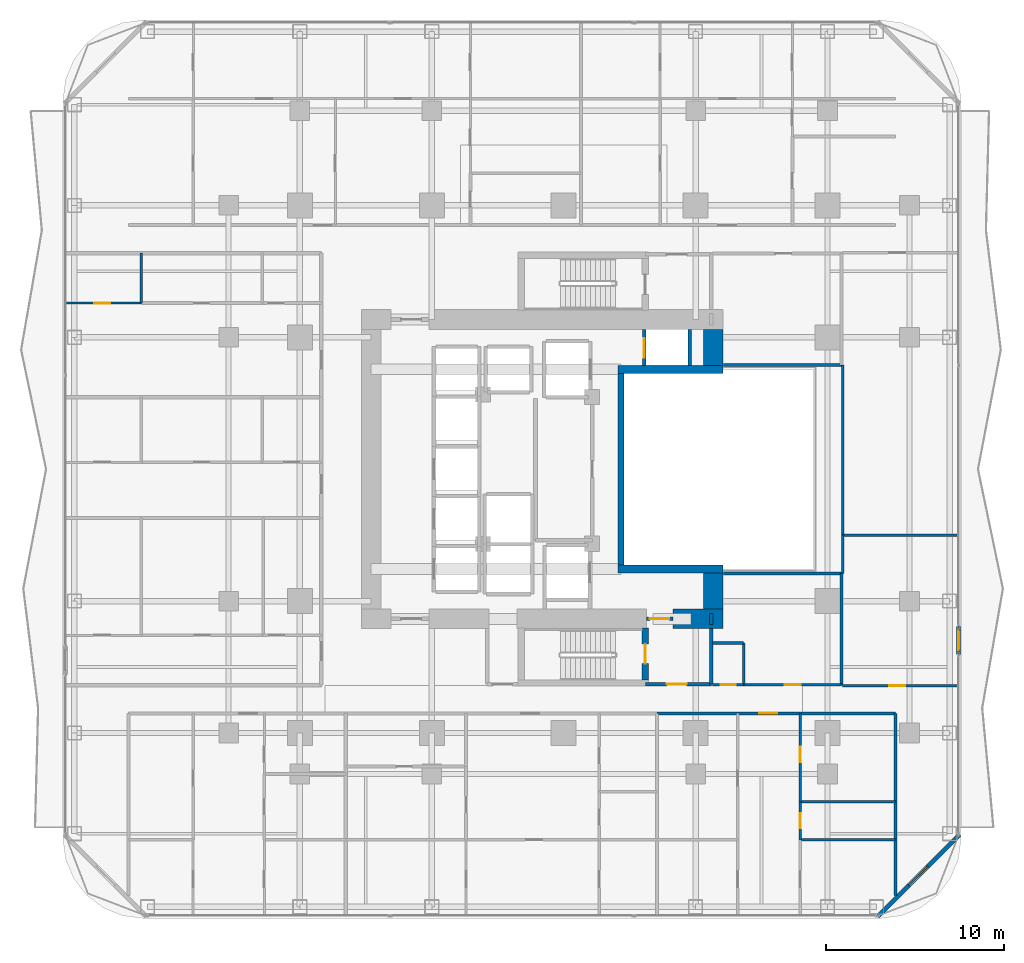
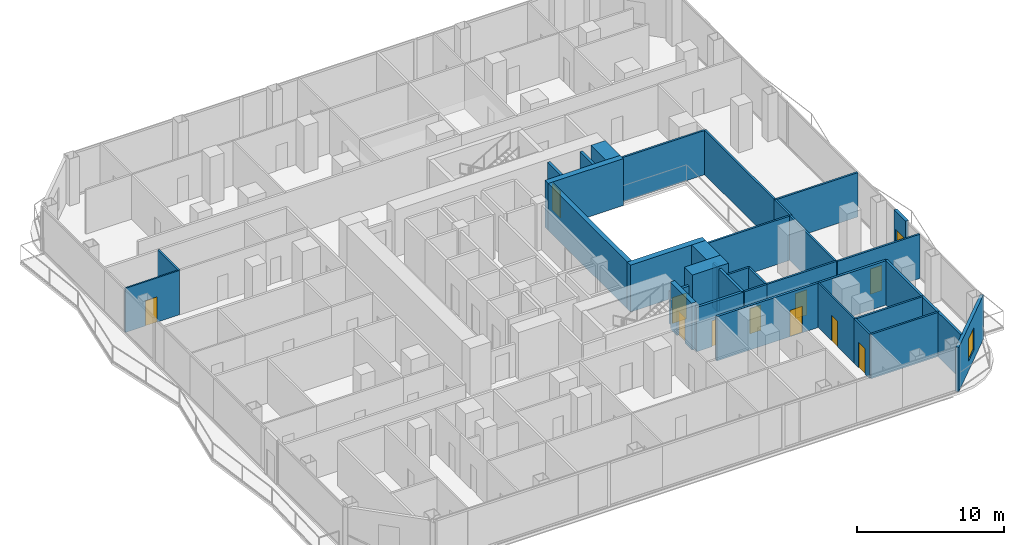
# One storey, part 22 of 29: 34 walls, 12 doors, 1 window, 13 openings.
"""IFC4 building model written with IfcOpenShell, lengths in metres."""

import ifcopenshell
import ifcopenshell.guid

model = None  # the IFC model being written
_history = None  # IfcOwnerHistory: only IFC2X3 demands one
_inside = {}  # id of a spatial element -> (the spatial element, [elements in it])
_under = {}  # id of a project, library or spatial element -> (it, [spatial elements below it])
_declared = {}  # id of a project -> (the project, [libraries it declares])
_typed = {}  # id of a type object -> (the type object, [elements of that type])
_made_of = {}  # id of a material, layer set ... -> (it, [elements and type objects made of it])


def new_model(schema):
    """Start an empty IFC model of exactly this schema.

    Asked for "IFC4X3", IfcOpenShell would pick the latest addendum, in which some entities
    have other attributes; the version numbers below select the first issue.
    IFC2X3 requires an IfcOwnerHistory on every rooted entity: one is made here for all.
    """
    global model, _history
    if schema == "IFC4X3":
        model = ifcopenshell.file(schema_version=(4, 3, 0, 0))
    else:
        model = ifcopenshell.file(schema=schema)
    _inside.clear()
    _under.clear()
    _declared.clear()
    _typed.clear()
    _made_of.clear()
    _history = None
    if model.schema == "IFC2X3":
        org = make("IfcOrganization", Name="unknown")
        user = make(
            "IfcPersonAndOrganization",
            ThePerson=make("IfcPerson", FamilyName="unknown"),
            TheOrganization=org,
        )
        app = make(
            "IfcApplication",
            ApplicationDeveloper=org,
            Version="unknown",
            ApplicationFullName="unknown",
            ApplicationIdentifier="unknown",
        )
        _history = make(
            "IfcOwnerHistory",
            OwningUser=user,
            OwningApplication=app,
            ChangeAction="ADDED",
            CreationDate=0,
        )
    return model


def make(cls, **values):
    """One entity of the class cls with the attributes given. An attribute that is None is left unset."""
    return model.create_entity(
        cls, **{name: value for name, value in values.items() if value is not None}
    )


def rooted(cls, **values):
    """An entity with a GlobalId (a new one), such as an element, a storey or a relation."""
    return make(cls, GlobalId=ifcopenshell.guid.new(), OwnerHistory=_history, **values)


def si_unit(unit_type, name, prefix=None):
    """IfcSIUnit, for example si_unit("LENGTHUNIT", "METRE", prefix="MILLI")."""
    return make("IfcSIUnit", UnitType=unit_type, Prefix=prefix, Name=name)


def assignment(units):
    """IfcUnitAssignment: the units of a project."""
    return None if units is None else make("IfcUnitAssignment", Units=units)


def point(xyz):
    """IfcCartesianPoint."""
    return None if xyz is None else make("IfcCartesianPoint", Coordinates=xyz)


def direction(xyz):
    """IfcDirection."""
    return None if xyz is None else make("IfcDirection", DirectionRatios=xyz)


def frame(location, z_axis=None, x_axis=None):
    """IfcAxis2Placement3D, a coordinate frame: its origin and axes. An axis left out is left unset."""
    return make(
        "IfcAxis2Placement3D",
        Location=point(location),
        Axis=direction(z_axis),
        RefDirection=direction(x_axis),
    )


def frame_2d(location, x_axis=None):
    """IfcAxis2Placement2D, a coordinate frame in the plane: its origin and x axis."""
    return make(
        "IfcAxis2Placement2D", Location=point(location), RefDirection=direction(x_axis)
    )


def origin():
    """The frame at (0, 0, 0) with its axes left unset."""
    return frame((0.0, 0.0, 0.0))


def place(relative_to, where):
    """IfcLocalPlacement: puts the frame where relative to a parent placement (None: the world)."""
    return make(
        "IfcLocalPlacement", PlacementRelTo=relative_to, RelativePlacement=where
    )


def context(
    kind, dimensions, precision=None, world=None, true_north=None, identifier=None
):
    """IfcGeometricRepresentationContext, for example the 3D "Model" context."""
    return make(
        "IfcGeometricRepresentationContext",
        ContextIdentifier=identifier,
        ContextType=kind,
        CoordinateSpaceDimension=dimensions,
        Precision=precision,
        WorldCoordinateSystem=world,
        TrueNorth=true_north,
    )


def subcontext(parent, identifier, kind, view, scale=None):
    """IfcGeometricRepresentationSubContext, for example "Body" below "Model"."""
    return make(
        "IfcGeometricRepresentationSubContext",
        ContextIdentifier=identifier,
        ContextType=kind,
        ParentContext=parent,
        TargetScale=scale,
        TargetView=view,
    )


def project(units=None, contexts=None):
    """IfcProject with its units and contexts."""
    return rooted(
        "IfcProject",
        Name="project",
        RepresentationContexts=contexts,
        UnitsInContext=assignment(units),
    )


def spatial(cls, under=None, at=None, **own):
    """A site, building, storey or space (cls), placed at a placement, below another one or the project."""
    s = rooted(cls, ObjectPlacement=at, **own)
    if under is not None:
        _under.setdefault(under.id(), (under, []))[1].append(s)
    return s


def profile(cls, at=None, kind="AREA", **sizes):
    """A parametric profile (cls). Its sizes go by their IFC names, for example OverallWidth=200.0."""
    return make(cls, ProfileType=kind, Position=at, **sizes)


def rectangle(**sizes):
    """IfcRectangleProfileDef."""
    return profile("IfcRectangleProfileDef", **sizes)


def extrude(swept, where, along, depth):
    """IfcExtrudedAreaSolid: the profile swept, set in the frame where, extruded along a direction by depth."""
    return make(
        "IfcExtrudedAreaSolid",
        SweptArea=swept,
        Position=where,
        ExtrudedDirection=direction(along),
        Depth=depth,
    )


def shape(context_of_items, identifier, shape_type, items):
    """IfcShapeRepresentation: the items that make up one representation, for example the "Body"."""
    return make(
        "IfcShapeRepresentation",
        ContextOfItems=context_of_items,
        RepresentationIdentifier=identifier,
        RepresentationType=shape_type,
        Items=items,
    )


def material(Name=None, Category=None):
    """IfcMaterial."""
    return make("IfcMaterial", Name=Name, Category=Category)


def layer(
    of_material, thickness, ventilated=None, Name=None, Category=None, Priority=None
):
    """IfcMaterialLayer: one layer of a wall or slab, of a material (None: an air gap)."""
    return make(
        "IfcMaterialLayer",
        Material=of_material,
        LayerThickness=thickness,
        IsVentilated=ventilated,
        Name=Name,
        Category=Category,
        Priority=Priority,
    )


def layer_set(layers, Name=None):
    """IfcMaterialLayerSet."""
    return make("IfcMaterialLayerSet", MaterialLayers=layers, LayerSetName=Name)


def made_of(thing, what):
    """Note that an element or type object is made of a material, layer set ...; save() writes the relation."""
    if what is not None:
        _made_of.setdefault(what.id(), (what, []))[1].append(thing)
    return thing


def type_object(cls, material=None, **own):
    """A type object (cls), such as IfcWallType, which elements share."""
    return made_of(rooted(cls, **own), material)


def element(
    cls,
    number,
    at=None,
    inside=None,
    cuts=None,
    type_object=None,
    material=None,
    context=None,
    identifier="Body",
    shape_type=None,
    held_by="IfcProductDefinitionShape",
    body=None,
    shapes=None,
    **own,
):
    """One element of the class cls, such as IfcWall. Its Tag is "e" and its number.

    at: its placement. inside: the storey or other place that contains it. cuts: it is an
    opening in that element (IfcRelVoidsElement). A single representation is given by context,
    identifier, shape_type and body (its items); several are given by shapes. held_by: the class
    of the entity that holds the representations. save() writes the other relations.
    """
    e = rooted(cls, Tag="e%d" % number, ObjectPlacement=at, **own)
    if body is not None:
        shapes = [shape(context, identifier, shape_type, body)]
    if shapes is not None:
        e.Representation = make(held_by, Representations=shapes)
    if inside is not None:
        _inside.setdefault(inside.id(), (inside, []))[1].append(e)
    if cuts is not None:
        rooted(
            "IfcRelVoidsElement", RelatingBuildingElement=cuts, RelatedOpeningElement=e
        )
    if type_object is not None:
        _typed.setdefault(type_object.id(), (type_object, []))[1].append(e)
    return made_of(e, material)


def fill(opening, filler):
    """IfcRelFillsElement: the door or window that sits in an opening."""
    return rooted(
        "IfcRelFillsElement",
        RelatingOpeningElement=opening,
        RelatedBuildingElement=filler,
    )


def aggregate(whole, parts):
    """IfcRelAggregates: a whole, such as a stair, and the parts it consists of."""
    return rooted("IfcRelAggregates", RelatingObject=whole, RelatedObjects=parts)


def save(model, path):
    """Write the relations noted so far, then the file.

    IfcRelAggregates (storeys below a building ...), IfcRelContainedInSpatialStructure (elements
    in a storey), IfcRelDefinesByType, IfcRelAssociatesMaterial and IfcRelDeclares: one each for
    every whole, place, type object, material and project.
    """
    for whole, parts in _under.values():
        aggregate(whole, parts)
    for where, things in _inside.values():
        rooted(
            "IfcRelContainedInSpatialStructure",
            RelatedElements=things,
            RelatingStructure=where,
        )
    for kind, things in _typed.values():
        rooted("IfcRelDefinesByType", RelatedObjects=things, RelatingType=kind)
    for what, things in _made_of.values():
        rooted("IfcRelAssociatesMaterial", RelatedObjects=things, RelatingMaterial=what)
    for by, libraries in _declared.values():
        rooted("IfcRelDeclares", RelatingContext=by, RelatedDefinitions=libraries)
    model.write(path)


model = new_model("IFC4")

# Units and contexts
model_context = context("Model", 3, precision=1e-05, world=origin(), true_north=direction((0.0, 1.0)))
body_context = subcontext(model_context, "Body", "Model", "MODEL_VIEW")
ifc_project = project(units=[si_unit("LENGTHUNIT", "METRE"), si_unit("AREAUNIT", "SQUARE_METRE"), si_unit("VOLUMEUNIT", "CUBIC_METRE"), si_unit("PLANEANGLEUNIT", "RADIAN"), si_unit("MASSUNIT", "GRAM", prefix="KILO")], contexts=[model_context])

# Site, building, storey
site_placement = place(None, origin())
site = spatial("IfcSite", under=ifc_project, at=site_placement, CompositionType="ELEMENT")
building_placement = place(site_placement, origin())
building = spatial("IfcBuilding", under=site, at=building_placement, Name="Khorvyn Point Tower", CompositionType="ELEMENT")
storey_placement = place(building_placement, frame((0.0, 0.0, 61.800048828125)))
storey = spatial("IfcBuildingStorey", under=building, at=storey_placement, Name="L16", CompositionType="ELEMENT", Elevation=61.800048828125)

# Wall, opening, door
ifc_material_1 = material(Name="Double acoustic gypsum on twin steel stud", Category="steel")
ifc_layer_1 = layer(ifc_material_1, 0.179931640625)
ifc_layer_set_1 = layer_set([ifc_layer_1], Name="Acoustic Double-Stud Apartment Demising Wall 180")
wall_type_1 = type_object("IfcWallType", Name="Acoustic Double-Stud Apartment Demising Wall 180", PredefinedType="PARTITIONING", material=ifc_layer_set_1)
wall_1_placement = place(storey_placement, frame((5.241943359375, -13.699951171875, 0.0), z_axis=(0.0, 0.0, 1.0), x_axis=(1.0, 0.0, 0.0)))
wall_1 = element("IfcWall", 1, at=wall_1_placement, inside=storey, type_object=wall_type_1, Name="Wall", PredefinedType="PARTITIONING", context=body_context, shape_type="SweptSolid", body=[
    extrude(rectangle(XDim=13.378173828125, YDim=0.179931640625, at=frame_2d((6.68896484375, 0.0))), origin(), (0.0, 0.0, 1.0), 3.679931640625),
])
opening_1_placement = place(wall_1_placement, frame((5.739013671875, 0.0, 0.0)))
opening_1 = element("IfcOpeningElement", 2, at=opening_1_placement, cuts=wall_1, Name="Opening ID-AP60", PredefinedType="OPENING", context=body_context, shape_type="SweptSolid", body=[
    extrude(rectangle(XDim=1.0, YDim=2.199951171875, at=frame_2d((0.5, 1.10009765625))), frame((0.0, 0.099853515625, 0.0), z_axis=(0.0, -1.0, 0.0), x_axis=(1.0, 0.0, 0.0)), (0.0, 0.0, 1.0), 0.199951171875),
])
ifc_material_2 = material(Name="Engineered hardwood fire-rated leaf", Category="wood")
door_type_1 = type_object("IfcDoorType", Name="Acoustic Solid-Core Timber Apartment Entrance Door 1000x2200", OperationType="NOTDEFINED", PredefinedType="DOOR", material=ifc_material_2)
door_1_placement = place(opening_1_placement, origin())
door_1 = element("IfcDoor", 3, at=door_1_placement, inside=storey, type_object=door_type_1, Name="Door", OperationType="SINGLE_SWING_LEFT", OverallHeight=2.199951171875, OverallWidth=1.0, PredefinedType="DOOR", context=body_context, shape_type="SweptSolid", body=[
    extrude(rectangle(XDim=1.0, YDim=2.199951171875, at=frame_2d((0.5, 1.10009765625))), frame((0.0, 0.02490234375, 0.0), z_axis=(0.0, -1.0, 0.0), x_axis=(1.0, 0.0, 0.0)), (0.0, 0.0, 1.0), 0.050048828125),
])
fill(opening_1, door_1)

# Wall
wall_2_placement = place(storey_placement, frame((18.6201171875, -23.909912109375, 0.0), z_axis=(0.0, 0.0, 1.0), x_axis=(0.0, 1.0, 0.0)))
element("IfcWall", 4, at=wall_2_placement, inside=storey, type_object=wall_type_1, Name="Wall", PredefinedType="PARTITIONING", context=body_context, shape_type="SweptSolid", body=[
    extrude(rectangle(XDim=10.2099609375, YDim=0.179931640625, at=frame_2d((5.10498046875, 0.0))), origin(), (0.0, 0.0, 1.0), 3.679931640625),
])

# Wall, opening, door
ifc_material_3 = material(Name="Pale anodised aluminium rainscreen on steel stud", Category="steel")
ifc_layer_2 = layer(ifc_material_3, 0.239990234375)
ifc_layer_set_2 = layer_set([ifc_layer_2], Name="Anodised Aluminium Insulated Corner Spandrel Wall 240")
wall_type_2 = type_object("IfcWallType", Name="Anodised Aluminium Insulated Corner Spandrel Wall 240", PredefinedType="SOLIDWALL", material=ifc_layer_set_2)
wall_3_placement = place(storey_placement, frame((22.14990234375, -8.81494140625, 0.0), z_axis=(0.0, 0.0, 1.0), x_axis=(0.0, -1.0, 0.0)))
wall_3 = element("IfcWall", 5, at=wall_3_placement, inside=storey, type_object=wall_type_2, Name="L16 East Outdoor Threshold Wall", PredefinedType="SOLIDWALL", context=body_context, shape_type="SweptSolid", body=[
    extrude(rectangle(XDim=1.580078125, YDim=0.239990234375, at=frame_2d((0.7900390625, 0.0))), origin(), (0.0, 0.0, 1.0), 3.679931640625),
])
opening_2_placement = place(wall_3_placement, frame((0.239990234375, 0.0, 0.0)))
opening_2 = element("IfcOpeningElement", 6, at=opening_2_placement, cuts=wall_3, Name="Opening BD-1122", PredefinedType="OPENING", context=body_context, shape_type="SweptSolid", body=[
    extrude(rectangle(XDim=1.10009765625, YDim=2.199951171875, at=frame_2d((0.550048828125, 1.10009765625))), frame((0.0, 0.1298828125, 0.0), z_axis=(0.0, -1.0, 0.0), x_axis=(1.0, 0.0, 0.0)), (0.0, 0.0, 1.0), 0.260009765625),
])
ifc_material_4 = material(Name="Anodised aluminium 6063-T6 and laminated Low-E glass", Category="aluminium")
door_type_2 = type_object("IfcDoorType", Name="Glazed Balcony and Terrace Threshold Door 1100x2200", OperationType="NOTDEFINED", PredefinedType="DOOR", material=ifc_material_4)
door_2_placement = place(opening_2_placement, origin())
door_2 = element("IfcDoor", 7, at=door_2_placement, inside=storey, type_object=door_type_2, Name="L16 East Glazed Balcony Outdoor Door", OperationType="SINGLE_SWING_LEFT", OverallHeight=2.199951171875, OverallWidth=1.10009765625, PredefinedType="DOOR", context=body_context, shape_type="SweptSolid", body=[
    extrude(rectangle(XDim=1.10009765625, YDim=2.199951171875, at=frame_2d((0.550048828125, 1.10009765625))), frame((0.0, 0.02490234375, 0.0), z_axis=(0.0, -1.0, 0.0), x_axis=(1.0, 0.0, 0.0)), (0.0, 0.0, 1.0), 0.050048828125),
])
fill(opening_2, door_2)

# Wall, opening, window
wall_4_placement = place(storey_placement, frame((22.1923828125, -20.507568359375, 0.0), z_axis=(0.0, 0.0, 1.0), x_axis=(-0.707106781187, -0.707106781187, 0.0)))
wall_4 = element("IfcWall", 8, at=wall_4_placement, inside=storey, type_object=wall_type_2, Name="L16 Rounded Corner Wall SE", PredefinedType="SOLIDWALL", context=body_context, shape_type="SweptSolid", body=[
    extrude(rectangle(XDim=6.48388671875, YDim=0.239990234375, at=frame_2d((3.241943359375, 0.0))), origin(), (0.0, 0.0, 1.0), 3.679931640625),
])
opening_3_placement = place(wall_4_placement, frame((2.491943359375, 0.0, 0.800048828125)))
opening_3 = element("IfcOpeningElement", 9, at=opening_3_placement, cuts=wall_4, Name="Opening WN-1518", PredefinedType="OPENING", context=body_context, shape_type="SweptSolid", body=[
    extrude(rectangle(XDim=1.5, YDim=1.85009765625, at=frame_2d((0.75, 0.925048828125))), frame((0.0, 0.1298828125, 0.0), z_axis=(0.0, -1.0, 0.0), x_axis=(1.0, 0.0, 0.0)), (0.0, 0.0, 1.0), 0.260009765625),
])
window_type = type_object("IfcWindowType", Name="Anodised Aluminium Rounded-Corner Panoramic Window 1500x1850", PartitioningType="SINGLE_PANEL", PredefinedType="WINDOW", material=ifc_material_4)
window_placement = place(opening_3_placement, origin())
window = element("IfcWindow", 10, at=window_placement, inside=storey, type_object=window_type, Name="L16 Corner Panoramic Window SE", OverallHeight=1.85009765625, OverallWidth=1.5, PartitioningType="SINGLE_PANEL", PredefinedType="WINDOW", context=body_context, shape_type="SweptSolid", body=[
    extrude(rectangle(XDim=1.5, YDim=1.85009765625, at=frame_2d((0.75, 0.925048828125))), frame((0.0, 0.030029296875, 0.0), z_axis=(0.0, -1.0, 0.0), x_axis=(1.0, 0.0, 0.0)), (0.0, 0.0, 1.0), 0.06005859375),
])
fill(opening_3, window)

# Walls
ifc_material_5 = material(Name="Concrete C40/50", Category="concrete")
ifc_layer_3 = layer(ifc_material_5, 0.449951171875)
ifc_layer_set_3 = layer_set([ifc_layer_3], Name="Concrete C40/50 Core Shear Wall 450")
wall_type_3 = type_object("IfcWallType", Name="Concrete C40/50 Core Shear Wall 450", PredefinedType="SHEAR", material=ifc_layer_set_3)
for number, where, z_axis, x_axis, name in (
    (11, (3.044921875, -5.60009765625, 0.0), (0.0, 0.0, 1.0), (1.0, 0.0, 0.0), "Wall"),
    (12, (3.044921875, 5.60009765625, 0.0), (0.0, 0.0, 1.0), (1.0, 0.0, 0.0), "Wall"),
):
    element("IfcWall", number, at=place(storey_placement, frame(where, z_axis=z_axis, x_axis=x_axis)), inside=storey, type_object=wall_type_3, Name=name, PredefinedType="SHEAR", context=body_context, shape_type="SweptSolid", body=[
        extrude(rectangle(XDim=5.905029296875, YDim=0.449951171875, at=frame_2d((2.95263671875, 0.0))), origin(), (0.0, 0.0, 1.0), 3.89990234375),
    ])

# Wall, opening, door
ifc_layer_4 = layer(ifc_material_5, 0.199951171875)
ifc_layer_set_4 = layer_set([ifc_layer_4], Name="Concrete C40/50 Fire-Lobby Compartment Wall 200")
wall_type_4 = type_object("IfcWallType", Name="Concrete C40/50 Fire-Lobby Compartment Wall 200", PredefinedType="SOLIDWALL", material=ifc_layer_set_4)
wall_5_placement = place(storey_placement, frame((4.580078125, -12.06005859375, 0.0), z_axis=(0.0, 0.0, 1.0), x_axis=(1.0, 0.0, 0.0)))
wall_5 = element("IfcWall", 13, at=wall_5_placement, inside=storey, type_object=wall_type_4, Name="Wall", PredefinedType="SOLIDWALL", context=body_context, shape_type="SweptSolid", body=[
    extrude(rectangle(XDim=3.699951171875, YDim=0.199951171875, at=frame_2d((1.85009765625, 0.0))), origin(), (0.0, 0.0, 1.0), 3.679931640625),
])
opening_4_placement = place(wall_5_placement, frame((1.21240234375, 0.0, 0.0)))
opening_4 = element("IfcOpeningElement", 14, at=opening_4_placement, cuts=wall_5, Name="Opening ID-FL90", PredefinedType="OPENING", context=body_context, shape_type="SweptSolid", body=[
    extrude(rectangle(XDim=1.10009765625, YDim=2.14990234375, at=frame_2d((0.550048828125, 1.074951171875))), frame((0.0, 0.10986328125, 0.0), z_axis=(0.0, -1.0, 0.0), x_axis=(1.0, 0.0, 0.0)), (0.0, 0.0, 1.0), 0.219970703125),
])
ifc_material_6 = material(Name="Galvanised powder-coated steel", Category="steel")
door_type_3 = type_object("IfcDoorType", Name="Fire-Rated Steel Lobby and Stair Door 1100x2150", OperationType="NOTDEFINED", PredefinedType="DOOR", material=ifc_material_6)
door_3_placement = place(opening_4_placement, origin())
door_3 = element("IfcDoor", 15, at=door_3_placement, inside=storey, type_object=door_type_3, Name="Door", OperationType="SINGLE_SWING_LEFT", OverallHeight=2.14990234375, OverallWidth=1.10009765625, PredefinedType="DOOR", context=body_context, shape_type="SweptSolid", body=[
    extrude(rectangle(XDim=1.10009765625, YDim=2.14990234375, at=frame_2d((0.550048828125, 1.074951171875))), frame((0.0, 0.02490234375, 0.0), z_axis=(0.0, -1.0, 0.0), x_axis=(1.0, 0.0, 0.0)), (0.0, 0.0, 1.0), 0.050048828125),
])
fill(opening_4, door_3)

wall_6_placement = place(storey_placement, frame((4.64990234375, -8.39990234375, 0.0), z_axis=(0.0, 0.0, 1.0), x_axis=(1.0, 0.0, 0.0)))
wall_6 = element("IfcWall", 16, at=wall_6_placement, inside=storey, type_object=wall_type_4, Name="Wall", PredefinedType="SOLIDWALL", context=body_context, shape_type="SweptSolid", body=[
    extrude(rectangle(XDim=1.47021484375, YDim=0.199951171875, at=frame_2d((0.735107421875, 0.0))), origin(), (0.0, 0.0, 1.0), 2.719970703125),
])
opening_5_placement = place(wall_6_placement, frame((0.18505859375, 0.0, 0.0)))
opening_5 = element("IfcOpeningElement", 17, at=opening_5_placement, cuts=wall_6, Name="Opening ID-FL90", PredefinedType="OPENING", context=body_context, shape_type="SweptSolid", body=[
    extrude(rectangle(XDim=1.10009765625, YDim=2.14990234375, at=frame_2d((0.550048828125, 1.074951171875))), frame((0.0, 0.10986328125, 0.0), z_axis=(0.0, -1.0, 0.0), x_axis=(1.0, 0.0, 0.0)), (0.0, 0.0, 1.0), 0.219970703125),
])
door_4_placement = place(opening_5_placement, origin())
door_4 = element("IfcDoor", 18, at=door_4_placement, inside=storey, type_object=door_type_3, Name="Door", OperationType="SINGLE_SWING_RIGHT", OverallHeight=2.14990234375, OverallWidth=1.10009765625, PredefinedType="DOOR", context=body_context, shape_type="SweptSolid", body=[
    extrude(rectangle(XDim=1.10009765625, YDim=2.14990234375, at=frame_2d((0.550048828125, 1.074951171875))), frame((0.0, 0.02490234375, 0.0), z_axis=(0.0, -1.0, 0.0), x_axis=(1.0, 0.0, 0.0)), (0.0, 0.0, 1.0), 0.050048828125),
])
fill(opening_5, door_4)

# Walls
wall_7_placement = place(storey_placement, frame((8.280029296875, -12.06005859375, 0.0), z_axis=(0.0, 0.0, 1.0), x_axis=(0.0, 1.0, 0.0)))
element("IfcWall", 19, at=wall_7_placement, inside=storey, type_object=wall_type_4, Name="Wall", PredefinedType="SOLIDWALL", context=body_context, shape_type="SweptSolid", body=[
    extrude(rectangle(XDim=3.110107421875, YDim=0.199951171875, at=frame_2d((1.55517578125, 0.0))), origin(), (0.0, 0.0, 1.0), 3.679931640625),
])
wall_8_placement = place(storey_placement, frame((8.280029296875, -8.72509765625, 0.0), z_axis=(0.0, 0.0, 1.0), x_axis=(0.0, 1.0, 0.0)))
element("IfcWall", 20, at=wall_8_placement, inside=storey, type_object=wall_type_4, Name="Wall", PredefinedType="SOLIDWALL", context=body_context, shape_type="SweptSolid", body=[
    extrude(rectangle(XDim=0.625, YDim=0.199951171875, at=frame_2d((0.3125, 0.0))), origin(), (0.0, 0.0, 1.0), 3.679931640625),
])
ifc_layer_5 = layer(ifc_material_5, 0.35009765625)
ifc_layer_set_5 = layer_set([ifc_layer_5], Name="Concrete C40/50 Stair Shaft Structural Wall 350")
wall_type_5 = type_object("IfcWallType", Name="Concrete C40/50 Stair Shaft Structural Wall 350", PredefinedType="SHEAR", material=ifc_layer_set_5)
wall_9_placement = place(storey_placement, frame((3.219970703125, -5.375, 0.0), z_axis=(0.0, 0.0, 1.0), x_axis=(0.0, 1.0, 0.0)))
element("IfcWall", 21, at=wall_9_placement, inside=storey, type_object=wall_type_5, Name="Wall", PredefinedType="SHEAR", context=body_context, shape_type="SweptSolid", body=[
    extrude(rectangle(XDim=10.75, YDim=0.35009765625, at=frame_2d((5.375, 0.0))), origin(), (0.0, 0.0, 1.0), 3.89990234375),
])

# Wall, opening, door
wall_10_placement = place(storey_placement, frame((4.580078125, -8.89990234375, 0.0), z_axis=(0.0, 0.0, 1.0), x_axis=(0.0, -1.0, 0.0)))
wall_10 = element("IfcWall", 22, at=wall_10_placement, inside=storey, type_object=wall_type_5, Name="L16 ST-01 East Landing Door Wall", PredefinedType="SHEAR", context=body_context, shape_type="SweptSolid", body=[
    extrude(rectangle(XDim=2.925048828125, YDim=0.35009765625, at=frame_2d((1.46240234375, 0.0))), origin(), (0.0, 0.0, 1.0), 3.89990234375),
])
opening_6_placement = place(wall_10_placement, frame((0.91259765625, 0.0, 0.0)))
opening_6 = element("IfcOpeningElement", 23, at=opening_6_placement, cuts=wall_10, Name="Opening ID-FL90", PredefinedType="OPENING", context=body_context, shape_type="SweptSolid", body=[
    extrude(rectangle(XDim=1.10009765625, YDim=2.14990234375, at=frame_2d((0.550048828125, 1.074951171875))), frame((0.0, 0.18505859375, 0.0), z_axis=(0.0, -1.0, 0.0), x_axis=(1.0, 0.0, 0.0)), (0.0, 0.0, 1.0), 0.3701171875),
])
door_5_placement = place(opening_6_placement, origin())
door_5 = element("IfcDoor", 24, at=door_5_placement, inside=storey, type_object=door_type_3, Name="L16 ST-01 Smokeproof Landing Door", OperationType="SINGLE_SWING_RIGHT", OverallHeight=2.14990234375, OverallWidth=1.10009765625, PredefinedType="DOOR", context=body_context, shape_type="SweptSolid", body=[
    extrude(rectangle(XDim=1.10009765625, YDim=2.14990234375, at=frame_2d((0.550048828125, 1.074951171875))), frame((0.0, 0.02490234375, 0.0), z_axis=(0.0, -1.0, 0.0), x_axis=(1.0, 0.0, 0.0)), (0.0, 0.0, 1.0), 0.050048828125),
])
fill(opening_6, door_5)

ifc_layer_6 = layer(ifc_material_5, 0.199951171875)
ifc_layer_set_6 = layer_set([ifc_layer_6], Name="Concrete C40/50 Structural Hoistway and Stair Shaft Wall 200")
wall_type_6 = type_object("IfcWallType", Name="Concrete C40/50 Structural Hoistway and Stair Shaft Wall 200", PredefinedType="SHEAR", material=ifc_layer_set_6)
wall_11_placement = place(storey_placement, frame((4.52490234375, 5.824951171875, 0.0), z_axis=(0.0, 0.0, 1.0), x_axis=(0.0, 1.0, 0.0)))
wall_11 = element("IfcWall", 25, at=wall_11_placement, inside=storey, type_object=wall_type_6, Name="Wall", PredefinedType="SHEAR", context=body_context, shape_type="SweptSolid", body=[
    extrude(rectangle(XDim=2.025146484375, YDim=0.199951171875, at=frame_2d((1.0126953125, 0.0))), origin(), (0.0, 0.0, 1.0), 3.679931640625),
])
opening_7_placement = place(wall_11_placement, frame((0.425048828125, 0.0, 0.0)))
opening_7 = element("IfcOpeningElement", 26, at=opening_7_placement, cuts=wall_11, Name="Opening LD-1122", PredefinedType="OPENING", context=body_context, shape_type="SweptSolid", body=[
    extrude(rectangle(XDim=1.10009765625, YDim=2.199951171875, at=frame_2d((0.550048828125, 1.10009765625))), frame((0.0, 0.10986328125, 0.0), z_axis=(0.0, -1.0, 0.0), x_axis=(1.0, 0.0, 0.0)), (0.0, 0.0, 1.0), 0.219970703125),
])
ifc_material_7 = material(Name="Stainless steel 1.4301", Category="steel")
door_type_4 = type_object("IfcDoorType", Name="Stainless Steel Automatic Sliding Lift Landing Door 1100x2200", OperationType="SLIDING_TO_LEFT", PredefinedType="DOOR", material=ifc_material_7)
door_6_placement = place(opening_7_placement, origin())
door_6 = element("IfcDoor", 27, at=door_6_placement, inside=storey, type_object=door_type_4, Name="L16 FF-02 Sliding Lift Landing Door", OperationType="SLIDING_TO_LEFT", OverallHeight=2.199951171875, OverallWidth=1.10009765625, PredefinedType="DOOR", context=body_context, shape_type="SweptSolid", body=[
    extrude(rectangle(XDim=1.10009765625, YDim=2.199951171875, at=frame_2d((0.550048828125, 1.10009765625))), frame((0.0, 0.02490234375, 0.0), z_axis=(0.0, -1.0, 0.0), x_axis=(1.0, 0.0, 0.0)), (0.0, 0.0, 1.0), 0.050048828125),
])
fill(opening_7, door_6)

# Walls
wall_12_placement = place(storey_placement, frame((7.074951171875, 5.824951171875, 0.0), z_axis=(0.0, 0.0, 1.0), x_axis=(0.0, 1.0, 0.0)))
element("IfcWall", 28, at=wall_12_placement, inside=storey, type_object=wall_type_6, Name="Wall", PredefinedType="SHEAR", context=body_context, shape_type="SweptSolid", body=[
    extrude(rectangle(XDim=2.025146484375, YDim=0.199951171875, at=frame_2d((1.0126953125, 0.0))), origin(), (0.0, 0.0, 1.0), 3.679931640625),
])
ifc_material_8 = material(Name="Concrete C50/60", Category="concrete")
ifc_layer_7 = layer(ifc_material_8, 1.10009765625)
ifc_layer_set_7 = layer_set([ifc_layer_7], Name="Concrete C50/60 Core Shear Wall 1100")
wall_type_7 = type_object("IfcWallType", Name="Concrete C50/60 Core Shear Wall 1100", PredefinedType="SHEAR", material=ifc_layer_set_7)
wall_13_placement = place(storey_placement, frame((6.1201171875, -8.39990234375, 0.0), z_axis=(0.0, 0.0, 1.0), x_axis=(1.0, 0.0, 0.0)))
element("IfcWall", 29, at=wall_13_placement, inside=storey, type_object=wall_type_7, Name="Wall", PredefinedType="SHEAR", context=body_context, shape_type="SweptSolid", body=[
    extrude(rectangle(XDim=2.829833984375, YDim=1.10009765625, at=frame_2d((1.4150390625, 0.0))), origin(), (0.0, 0.0, 1.0), 3.89990234375),
])
for number, where, z_axis, x_axis, name in (
    (30, (8.39990234375, -7.85009765625, 0.0), (0.0, 0.0, 1.0), (0.0, 1.0, 0.0), "Wall"),
    (31, (8.39990234375, 5.824951171875, 0.0), (0.0, 0.0, 1.0), (0.0, 1.0, 0.0), "Wall"),
):
    element("IfcWall", number, at=place(storey_placement, frame(where, z_axis=z_axis, x_axis=x_axis)), inside=storey, type_object=wall_type_7, Name=name, PredefinedType="SHEAR", context=body_context, shape_type="SweptSolid", body=[
        extrude(rectangle(XDim=2.025146484375, YDim=1.10009765625, at=frame_2d((1.0126953125, 0.0))), origin(), (0.0, 0.0, 1.0), 3.89990234375),
    ])

# Wall, opening, door
ifc_material_9 = material(Name="Gypsum plasterboard on steel stud", Category="steel")
ifc_layer_8 = layer(ifc_material_9, 0.1201171875)
ifc_layer_set_8 = layer_set([ifc_layer_8], Name="Gypsum Acoustic Stud Room Partition Wall 120")
wall_type_8 = type_object("IfcWallType", Name="Gypsum Acoustic Stud Room Partition Wall 120", PredefinedType="PARTITIONING", material=ifc_layer_set_8)
wall_14_placement = place(storey_placement, frame((13.26904296875, -18.6630859375, 0.0), z_axis=(0.0, 0.0, 1.0), x_axis=(0.0, 1.0, 0.0)))
wall_14 = element("IfcWall", 32, at=wall_14_placement, inside=storey, type_object=wall_type_8, Name="Wall", PredefinedType="PARTITIONING", context=body_context, shape_type="SweptSolid", body=[
    extrude(rectangle(XDim=4.963134765625, YDim=0.1201171875, at=frame_2d((2.4814453125, 0.0))), origin(), (0.0, 0.0, 1.0), 3.679931640625),
])
opening_8_placement = place(wall_14_placement, frame((2.22900390625, 0.0, 0.0)))
opening_8 = element("IfcOpeningElement", 33, at=opening_8_placement, cuts=wall_14, Name="Opening ID-WC85", PredefinedType="OPENING", context=body_context, shape_type="SweptSolid", body=[
    extrude(rectangle(XDim=0.85009765625, YDim=2.10009765625, at=frame_2d((0.425048828125, 1.050048828125))), frame((0.0, 0.070068359375, 0.0), z_axis=(0.0, -1.0, 0.0), x_axis=(1.0, 0.0, 0.0)), (0.0, 0.0, 1.0), 0.14013671875),
])
ifc_material_10 = material(Name="High-pressure laminate on moisture-resistant core", Category="wood")
door_type_5 = type_object("IfcDoorType", Name="Moisture-Resistant Accessible Washroom Door 850x2100", OperationType="NOTDEFINED", PredefinedType="DOOR", material=ifc_material_10)
door_7_placement = place(opening_8_placement, origin())
door_7 = element("IfcDoor", 34, at=door_7_placement, inside=storey, type_object=door_type_5, Name="Door", OperationType="SINGLE_SWING_LEFT", OverallHeight=2.10009765625, OverallWidth=0.85009765625, PredefinedType="DOOR", context=body_context, shape_type="SweptSolid", body=[
    extrude(rectangle(XDim=0.85009765625, YDim=2.10009765625, at=frame_2d((0.425048828125, 1.050048828125))), frame((0.0, 0.02490234375, 0.0), z_axis=(0.0, -1.0, 0.0), x_axis=(1.0, 0.0, 0.0)), (0.0, 0.0, 1.0), 0.050048828125),
])
fill(opening_8, door_7)

wall_15_placement = place(storey_placement, frame((-27.929931640625, 9.320068359375, 0.0), z_axis=(0.0, 0.0, 1.0), x_axis=(1.0, 0.0, 0.0)))
wall_15 = element("IfcWall", 35, at=wall_15_placement, inside=storey, type_object=wall_type_8, Name="Wall", PredefinedType="PARTITIONING", context=body_context, shape_type="SweptSolid", body=[
    extrude(rectangle(XDim=4.239990234375, YDim=0.1201171875, at=frame_2d((2.1201171875, 0.0))), origin(), (0.0, 0.0, 1.0), 3.679931640625),
])
opening_9_placement = place(wall_15_placement, frame((1.581298828125, 0.0, 0.0)))
opening_9 = element("IfcOpeningElement", 36, at=opening_9_placement, cuts=wall_15, Name="Opening ID-RM90", PredefinedType="OPENING", context=body_context, shape_type="SweptSolid", body=[
    extrude(rectangle(XDim=0.89990234375, YDim=2.10009765625, at=frame_2d((0.449951171875, 1.050048828125))), frame((0.0, 0.070068359375, 0.0), z_axis=(0.0, -1.0, 0.0), x_axis=(1.0, 0.0, 0.0)), (0.0, 0.0, 1.0), 0.14013671875),
])
ifc_material_11 = material(Name="Engineered oak veneer timber", Category="wood")
door_type_6 = type_object("IfcDoorType", Name="Flush Engineered Timber Room Door 900x2100", OperationType="NOTDEFINED", PredefinedType="DOOR", material=ifc_material_11)
door_8_placement = place(opening_9_placement, origin())
door_8 = element("IfcDoor", 37, at=door_8_placement, inside=storey, type_object=door_type_6, Name="Door", OperationType="SINGLE_SWING_RIGHT", OverallHeight=2.10009765625, OverallWidth=0.89990234375, PredefinedType="DOOR", context=body_context, shape_type="SweptSolid", body=[
    extrude(rectangle(XDim=0.89990234375, YDim=2.10009765625, at=frame_2d((0.449951171875, 1.050048828125))), frame((0.0, 0.02490234375, 0.0), z_axis=(0.0, -1.0, 0.0), x_axis=(1.0, 0.0, 0.0)), (0.0, 0.0, 1.0), 0.050048828125),
])
fill(opening_9, door_8)

ifc_material_12 = material(Name="Moisture-resistant gypsum and cement board", Category="gypsum")
ifc_layer_9 = layer(ifc_material_12, 0.14990234375)
ifc_layer_set_9 = layer_set([ifc_layer_9], Name="Moisture-Resistant Wet-Room Partition Wall 150")
wall_type_9 = type_object("IfcWallType", Name="Moisture-Resistant Wet-Room Partition Wall 150", PredefinedType="PARTITIONING", material=ifc_layer_set_9)
wall_16_placement = place(storey_placement, frame((8.360107421875, -12.10009765625, 0.0), z_axis=(0.0, 0.0, 1.0), x_axis=(1.0, 0.0, 0.0)))
wall_16 = element("IfcWall", 38, at=wall_16_placement, inside=storey, type_object=wall_type_9, Name="Wall", PredefinedType="PARTITIONING", context=body_context, shape_type="SweptSolid", body=[
    extrude(rectangle(XDim=1.739990234375, YDim=0.14990234375, at=frame_2d((0.8701171875, 0.0))), origin(), (0.0, 0.0, 1.0), 3.679931640625),
])
opening_10_placement = place(wall_16_placement, frame((0.445068359375, 0.0, 0.0)))
opening_10 = element("IfcOpeningElement", 39, at=opening_10_placement, cuts=wall_16, Name="Opening ID-WC85", PredefinedType="OPENING", context=body_context, shape_type="SweptSolid", body=[
    extrude(rectangle(XDim=0.85009765625, YDim=2.10009765625, at=frame_2d((0.425048828125, 1.050048828125))), frame((0.0, 0.0849609375, 0.0), z_axis=(0.0, -1.0, 0.0), x_axis=(1.0, 0.0, 0.0)), (0.0, 0.0, 1.0), 0.169921875),
])
door_9_placement = place(opening_10_placement, origin())
door_9 = element("IfcDoor", 40, at=door_9_placement, inside=storey, type_object=door_type_5, Name="Door", OperationType="SINGLE_SWING_RIGHT", OverallHeight=2.10009765625, OverallWidth=0.85009765625, PredefinedType="DOOR", context=body_context, shape_type="SweptSolid", body=[
    extrude(rectangle(XDim=0.85009765625, YDim=2.10009765625, at=frame_2d((0.425048828125, 1.050048828125))), frame((0.0, 0.02490234375, 0.0), z_axis=(0.0, -1.0, 0.0), x_axis=(1.0, 0.0, 0.0)), (0.0, 0.0, 1.0), 0.050048828125),
])
fill(opening_10, door_9)

wall_17_placement = place(storey_placement, frame((10.10009765625, -12.10009765625, 0.0), z_axis=(0.0, 0.0, 1.0), x_axis=(1.0, 0.0, 0.0)))
wall_17 = element("IfcWall", 41, at=wall_17_placement, inside=storey, type_object=wall_type_9, Name="Wall", PredefinedType="PARTITIONING", context=body_context, shape_type="SweptSolid", body=[
    extrude(rectangle(XDim=5.47998046875, YDim=0.14990234375, at=frame_2d((2.739990234375, 0.0))), origin(), (0.0, 0.0, 1.0), 3.679931640625),
])
opening_11_placement = place(wall_17_placement, frame((2.2900390625, 0.0, 0.0)))
opening_11 = element("IfcOpeningElement", 42, at=opening_11_placement, cuts=wall_17, Name="Opening ID-RM90", PredefinedType="OPENING", context=body_context, shape_type="SweptSolid", body=[
    extrude(rectangle(XDim=0.89990234375, YDim=2.10009765625, at=frame_2d((0.449951171875, 1.050048828125))), frame((0.0, 0.0849609375, 0.0), z_axis=(0.0, -1.0, 0.0), x_axis=(1.0, 0.0, 0.0)), (0.0, 0.0, 1.0), 0.169921875),
])
door_10_placement = place(opening_11_placement, origin())
door_10 = element("IfcDoor", 43, at=door_10_placement, inside=storey, type_object=door_type_6, Name="Door", OperationType="SINGLE_SWING_LEFT", OverallHeight=2.10009765625, OverallWidth=0.89990234375, PredefinedType="DOOR", context=body_context, shape_type="SweptSolid", body=[
    extrude(rectangle(XDim=0.89990234375, YDim=2.10009765625, at=frame_2d((0.449951171875, 1.050048828125))), frame((0.0, 0.02490234375, 0.0), z_axis=(0.0, -1.0, 0.0), x_axis=(1.0, 0.0, 0.0)), (0.0, 0.0, 1.0), 0.050048828125),
])
fill(opening_11, door_10)

wall_18_placement = place(storey_placement, frame((13.26904296875, -20.7900390625, 0.0), z_axis=(0.0, 0.0, 1.0), x_axis=(0.0, 1.0, 0.0)))
wall_18 = element("IfcWall", 44, at=wall_18_placement, inside=storey, type_object=wall_type_9, Name="Wall", PredefinedType="PARTITIONING", context=body_context, shape_type="SweptSolid", body=[
    extrude(rectangle(XDim=2.126953125, YDim=0.14990234375, at=frame_2d((1.0634765625, 0.0))), origin(), (0.0, 0.0, 1.0), 3.679931640625),
])
opening_12_placement = place(wall_18_placement, frame((0.638427734375, 0.0, 0.0)))
opening_12 = element("IfcOpeningElement", 45, at=opening_12_placement, cuts=wall_18, Name="Opening ID-WC85", PredefinedType="OPENING", context=body_context, shape_type="SweptSolid", body=[
    extrude(rectangle(XDim=0.85009765625, YDim=2.10009765625, at=frame_2d((0.425048828125, 1.050048828125))), frame((0.0, 0.0849609375, 0.0), z_axis=(0.0, -1.0, 0.0), x_axis=(1.0, 0.0, 0.0)), (0.0, 0.0, 1.0), 0.169921875),
])
door_11_placement = place(opening_12_placement, origin())
door_11 = element("IfcDoor", 46, at=door_11_placement, inside=storey, type_object=door_type_5, Name="Door", OperationType="SINGLE_SWING_RIGHT", OverallHeight=2.10009765625, OverallWidth=0.85009765625, PredefinedType="DOOR", context=body_context, shape_type="SweptSolid", body=[
    extrude(rectangle(XDim=0.85009765625, YDim=2.10009765625, at=frame_2d((0.425048828125, 1.050048828125))), frame((0.0, 0.02490234375, 0.0), z_axis=(0.0, -1.0, 0.0), x_axis=(1.0, 0.0, 0.0)), (0.0, 0.0, 1.0), 0.050048828125),
])
fill(opening_12, door_11)

wall_19_placement = place(storey_placement, frame((15.64990234375, -12.139892578125, 0.0), z_axis=(0.0, 0.0, 1.0), x_axis=(1.0, 0.0, 0.0)))
wall_19 = element("IfcWall", 47, at=wall_19_placement, inside=storey, type_object=wall_type_9, Name="Wall", PredefinedType="PARTITIONING", context=body_context, shape_type="SweptSolid", body=[
    extrude(rectangle(XDim=6.47021484375, YDim=0.14990234375, at=frame_2d((3.235107421875, 0.0))), origin(), (0.0, 0.0, 1.0), 3.679931640625),
])
opening_13_placement = place(wall_19_placement, frame((2.610107421875, 0.0, 0.0)))
opening_13 = element("IfcOpeningElement", 48, at=opening_13_placement, cuts=wall_19, Name="Opening ID-RM90", PredefinedType="OPENING", context=body_context, shape_type="SweptSolid", body=[
    extrude(rectangle(XDim=0.89990234375, YDim=2.10009765625, at=frame_2d((0.449951171875, 1.050048828125))), frame((0.0, 0.0849609375, 0.0), z_axis=(0.0, -1.0, 0.0), x_axis=(1.0, 0.0, 0.0)), (0.0, 0.0, 1.0), 0.169921875),
])
door_12_placement = place(opening_13_placement, origin())
door_12 = element("IfcDoor", 49, at=door_12_placement, inside=storey, type_object=door_type_6, Name="Door", OperationType="SINGLE_SWING_LEFT", OverallHeight=2.10009765625, OverallWidth=0.89990234375, PredefinedType="DOOR", context=body_context, shape_type="SweptSolid", body=[
    extrude(rectangle(XDim=0.89990234375, YDim=2.10009765625, at=frame_2d((0.449951171875, 1.050048828125))), frame((0.0, 0.02490234375, 0.0), z_axis=(0.0, -1.0, 0.0), x_axis=(1.0, 0.0, 0.0)), (0.0, 0.0, 1.0), 0.050048828125),
])
fill(opening_13, door_12)

# Walls
wall_20_placement = place(storey_placement, frame((8.360107421875, -9.75, 0.0), z_axis=(0.0, 0.0, 1.0), x_axis=(1.0, 0.0, 0.0)))
element("IfcWall", 50, at=wall_20_placement, inside=storey, type_object=wall_type_9, Name="Wall", PredefinedType="PARTITIONING", context=body_context, shape_type="SweptSolid", body=[
    extrude(rectangle(XDim=1.739990234375, YDim=0.14990234375, at=frame_2d((0.8701171875, 0.0))), origin(), (0.0, 0.0, 1.0), 3.679931640625),
])
wall_21_placement = place(storey_placement, frame((10.10009765625, -12.10009765625, 0.0), z_axis=(0.0, 0.0, 1.0), x_axis=(0.0, 1.0, 0.0)))
element("IfcWall", 51, at=wall_21_placement, inside=storey, type_object=wall_type_9, Name="Wall", PredefinedType="PARTITIONING", context=body_context, shape_type="SweptSolid", body=[
    extrude(rectangle(XDim=2.35009765625, YDim=0.14990234375, at=frame_2d((1.175048828125, 0.0))), origin(), (0.0, 0.0, 1.0), 3.679931640625),
])
wall_22_placement = place(storey_placement, frame((15.580078125, -12.10009765625, 0.0), z_axis=(0.0, 0.0, 1.0), x_axis=(0.0, 1.0, 0.0)))
element("IfcWall", 52, at=wall_22_placement, inside=storey, type_object=wall_type_9, Name="Wall", PredefinedType="PARTITIONING", context=body_context, shape_type="SweptSolid", body=[
    extrude(rectangle(XDim=6.25, YDim=0.14990234375, at=frame_2d((3.125, 0.0))), origin(), (0.0, 0.0, 1.0), 3.679931640625),
])
for number, where, z_axis, x_axis, name in (
    (53, (8.9599609375, -5.85009765625, 0.0), (0.0, 0.0, 1.0), (1.0, 0.0, 0.0), "Wall"),
    (54, (8.9599609375, 5.85009765625, 0.0), (0.0, 0.0, 1.0), (1.0, 0.0, 0.0), "Wall"),
):
    element("IfcWall", number, at=place(storey_placement, frame(where, z_axis=z_axis, x_axis=x_axis)), inside=storey, type_object=wall_type_9, Name=name, PredefinedType="PARTITIONING", context=body_context, shape_type="SweptSolid", body=[
        extrude(rectangle(XDim=6.6201171875, YDim=0.14990234375, at=frame_2d((3.31005859375, 0.0))), origin(), (0.0, 0.0, 1.0), 3.679931640625),
    ])
for number, where, z_axis, x_axis, name in (
    (55, (13.26904296875, -18.6630859375, 0.0), (0.0, 0.0, 1.0), (1.0, 0.0, 0.0), "Wall"),
    (56, (13.26904296875, -20.7900390625, 0.0), (0.0, 0.0, 1.0), (1.0, 0.0, 0.0), "Wall"),
):
    element("IfcWall", number, at=place(storey_placement, frame(where, z_axis=z_axis, x_axis=x_axis)), inside=storey, type_object=wall_type_9, Name=name, PredefinedType="PARTITIONING", context=body_context, shape_type="SweptSolid", body=[
        extrude(rectangle(XDim=5.35107421875, YDim=0.14990234375, at=frame_2d((2.675537109375, 0.0))), origin(), (0.0, 0.0, 1.0), 3.679931640625),
    ])
wall_23_placement = place(storey_placement, frame((-23.68994140625, 9.320068359375, 0.0), z_axis=(0.0, 0.0, 1.0), x_axis=(0.0, 1.0, 0.0)))
element("IfcWall", 57, at=wall_23_placement, inside=storey, type_object=wall_type_9, Name="Wall", PredefinedType="PARTITIONING", context=body_context, shape_type="SweptSolid", body=[
    extrude(rectangle(XDim=2.800048828125, YDim=0.14990234375, at=frame_2d((1.39990234375, 0.0))), origin(), (0.0, 0.0, 1.0), 3.679931640625),
])
wall_24_placement = place(storey_placement, frame((15.64990234375, -5.85009765625, 0.0), z_axis=(0.0, 0.0, 1.0), x_axis=(0.0, 1.0, 0.0)))
element("IfcWall", 58, at=wall_24_placement, inside=storey, type_object=wall_type_9, Name="Wall", PredefinedType="PARTITIONING", context=body_context, shape_type="SweptSolid", body=[
    extrude(rectangle(XDim=2.150146484375, YDim=0.14990234375, at=frame_2d((1.0751953125, 0.0))), origin(), (0.0, 0.0, 1.0), 3.679931640625),
])
wall_25_placement = place(storey_placement, frame((15.64990234375, -3.699951171875, 0.0), z_axis=(0.0, 0.0, 1.0), x_axis=(0.0, 1.0, 0.0)))
element("IfcWall", 59, at=wall_25_placement, inside=storey, type_object=wall_type_9, Name="Wall", PredefinedType="PARTITIONING", context=body_context, shape_type="SweptSolid", body=[
    extrude(rectangle(XDim=9.550048828125, YDim=0.14990234375, at=frame_2d((4.77490234375, 0.0))), origin(), (0.0, 0.0, 1.0), 3.679931640625),
])
wall_26_placement = place(storey_placement, frame((15.64990234375, -3.699951171875, 0.0), z_axis=(0.0, 0.0, 1.0), x_axis=(1.0, 0.0, 0.0)))
element("IfcWall", 60, at=wall_26_placement, inside=storey, type_object=wall_type_9, Name="Wall", PredefinedType="PARTITIONING", context=body_context, shape_type="SweptSolid", body=[
    extrude(rectangle(XDim=6.47998046875, YDim=0.14990234375, at=frame_2d((3.239990234375, 0.0))), origin(), (0.0, 0.0, 1.0), 3.679931640625),
])

save(model, "model.ifc")
